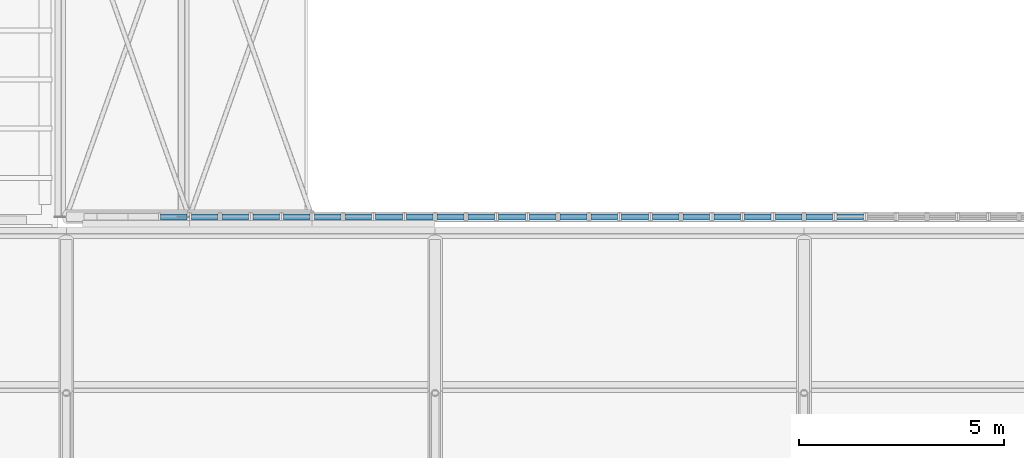
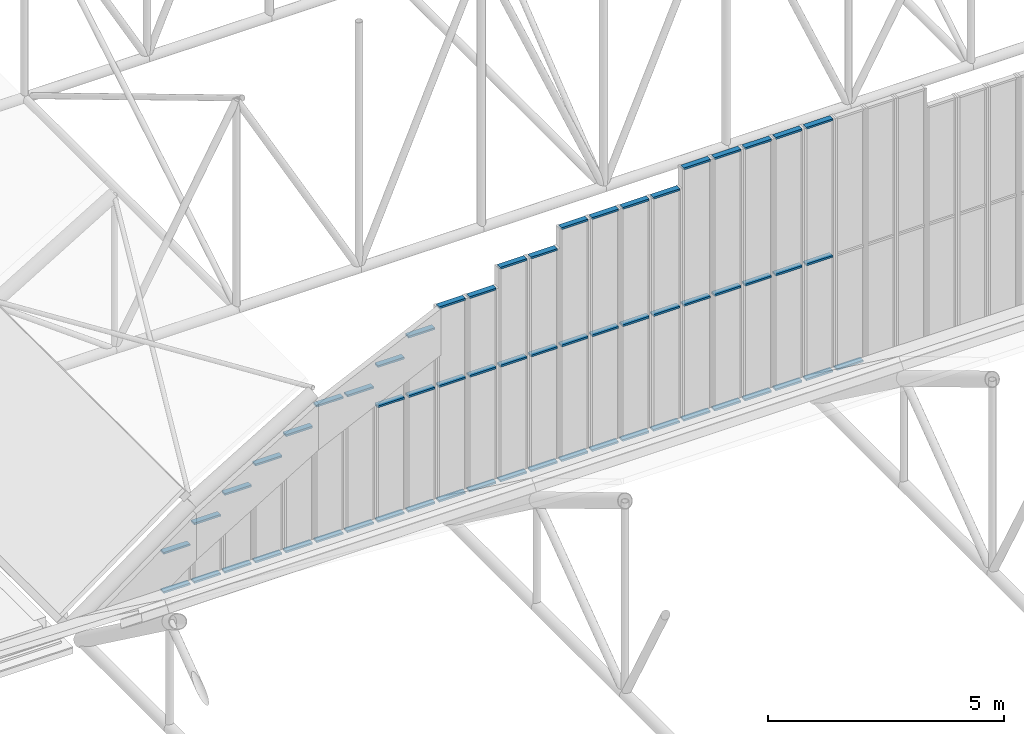
# One storey, part 88 of 153: 60 members, 23 elements without a shape of their own.
"""IFC4 building model written with IfcOpenShell, lengths in metres."""

from ifc_helpers import new_model, si_unit, direction, frame, origin, origin_2d, place, context, subcontext, project, spatial, rectangle, extrude, material, material_profile, profile_set, type_object, element, aggregate, save


model = new_model("IFC4")

# Units and contexts
model_context = context("Model", 3, precision=1e-05, world=origin(), true_north=direction((0.0, 1.0)))
body_context = subcontext(model_context, "Body", "Model", "MODEL_VIEW")
ifc_project = project(units=[si_unit("LENGTHUNIT", "METRE"), si_unit("AREAUNIT", "SQUARE_METRE"), si_unit("VOLUMEUNIT", "CUBIC_METRE"), si_unit("PLANEANGLEUNIT", "RADIAN"), si_unit("MASSUNIT", "GRAM", prefix="KILO")], contexts=[model_context])

# Site, building, storey
site_placement = place(None, origin())
site = spatial("IfcSite", under=ifc_project, at=site_placement, CompositionType="ELEMENT")
building_placement = place(site_placement, origin())
building = spatial("IfcBuilding", under=site, at=building_placement, Name="Baradari Gate Terminus", CompositionType="ELEMENT")
storey_placement = place(building_placement, frame((0.0, 0.0, 11.699951171875)))
storey = spatial("IfcBuildingStorey", under=building, at=storey_placement, Name="L02", CompositionType="ELEMENT", Elevation=11.699951171875)

# Curtain wall, members
ifc_material_1 = material(Name="Aluminium 6063-T6", Category="aluminium")
curtain_wall_type = type_object("IfcCurtainWallType", Name="Curtain wall CW-60 hall gable glazing", PredefinedType="NOTDEFINED", material=ifc_material_1)
curtain_wall_1_placement = place(storey_placement, origin())
curtain_wall_1 = element("IfcCurtainWall", 1, at=curtain_wall_1_placement, inside=storey, type_object=curtain_wall_type, Name="Hall gable glazing S4", PredefinedType="NOTDEFINED")
ifc_material_2 = material(Name="Aluminium 6063-T6", Category="aluminium")
ifc_material_profile = material_profile(ifc_material_2, rectangle(XDim=0.135009765625, YDim=0.050048828125, at=origin_2d()), Name="CT-60 50X135")
ifc_profile_set = profile_set([ifc_material_profile], Name="Aluminium 6063-T6")
member_type = type_object("IfcMemberType", Name="Curtain wall transom CT-60 50x135", PredefinedType="USERDEFINED", material=ifc_profile_set)
member_1_placement = place(storey_placement, frame((137.300048828125, 81.550048828125, 0.259521484375), z_axis=(1.0, 0.0, 0.0), x_axis=(0.0, 1.0, 0.0)))
member_1 = element("IfcMember", 2, at=member_1_placement, type_object=member_type, Name="CW-60 transom 1.1", ObjectType="TRANSOM", PredefinedType="USERDEFINED", context=body_context, shape_type="SweptSolid", body=[
    extrude(rectangle(XDim=0.135009765625, YDim=0.050048828125, at=origin_2d()), origin(), (0.0, 0.0, 1.0), 0.64990234375),
])
member_2_placement = place(storey_placement, frame((137.300048828125, 81.550048828125, 1.275146484375), z_axis=(1.0, 0.0, 0.0), x_axis=(0.0, 1.0, 0.0)))
member_2 = element("IfcMember", 3, at=member_2_placement, type_object=member_type, Name="CW-60 transom 1.2", ObjectType="TRANSOM", PredefinedType="USERDEFINED", context=body_context, shape_type="SweptSolid", body=[
    extrude(rectangle(XDim=0.135009765625, YDim=0.050048828125, at=origin_2d()), origin(), (0.0, 0.0, 1.0), 0.64990234375),
])
aggregate(curtain_wall_1, [member_1, member_2])

curtain_wall_2_placement = place(storey_placement, origin())
curtain_wall_2 = element("IfcCurtainWall", 4, at=curtain_wall_2_placement, inside=storey, type_object=curtain_wall_type, Name="Hall gable glazing S5", PredefinedType="NOTDEFINED")
member_3_placement = place(storey_placement, frame((138.050048828125, 81.550048828125, 0.259521484375), z_axis=(1.0, 0.0, 0.0), x_axis=(0.0, 1.0, 0.0)))
member_3 = element("IfcMember", 5, at=member_3_placement, type_object=member_type, Name="CW-60 transom 1.1", ObjectType="TRANSOM", PredefinedType="USERDEFINED", context=body_context, shape_type="SweptSolid", body=[
    extrude(rectangle(XDim=0.135009765625, YDim=0.050048828125, at=origin_2d()), origin(), (0.0, 0.0, 1.0), 0.64990234375),
])
member_4_placement = place(storey_placement, frame((138.050048828125, 81.550048828125, 1.775146484375), z_axis=(1.0, 0.0, 0.0), x_axis=(0.0, 1.0, 0.0)))
member_4 = element("IfcMember", 6, at=member_4_placement, type_object=member_type, Name="CW-60 transom 1.2", ObjectType="TRANSOM", PredefinedType="USERDEFINED", context=body_context, shape_type="SweptSolid", body=[
    extrude(rectangle(XDim=0.135009765625, YDim=0.050048828125, at=origin_2d()), origin(), (0.0, 0.0, 1.0), 0.64990234375),
])
aggregate(curtain_wall_2, [member_3, member_4])

curtain_wall_3_placement = place(storey_placement, origin())
curtain_wall_3 = element("IfcCurtainWall", 7, at=curtain_wall_3_placement, inside=storey, type_object=curtain_wall_type, Name="Hall gable glazing S6", PredefinedType="NOTDEFINED")
member_5_placement = place(storey_placement, frame((138.800048828125, 81.550048828125, 0.259521484375), z_axis=(1.0, 0.0, 0.0), x_axis=(0.0, 1.0, 0.0)))
member_5 = element("IfcMember", 8, at=member_5_placement, type_object=member_type, Name="CW-60 transom 1.1", ObjectType="TRANSOM", PredefinedType="USERDEFINED", context=body_context, shape_type="SweptSolid", body=[
    extrude(rectangle(XDim=0.135009765625, YDim=0.050048828125, at=origin_2d()), origin(), (0.0, 0.0, 1.0), 0.64990234375),
])
member_6_placement = place(storey_placement, frame((138.800048828125, 81.550048828125, 2.275146484375), z_axis=(1.0, 0.0, 0.0), x_axis=(0.0, 1.0, 0.0)))
member_6 = element("IfcMember", 9, at=member_6_placement, type_object=member_type, Name="CW-60 transom 1.2", ObjectType="TRANSOM", PredefinedType="USERDEFINED", context=body_context, shape_type="SweptSolid", body=[
    extrude(rectangle(XDim=0.135009765625, YDim=0.050048828125, at=origin_2d()), origin(), (0.0, 0.0, 1.0), 0.64990234375),
])
aggregate(curtain_wall_3, [member_5, member_6])

curtain_wall_4_placement = place(storey_placement, origin())
curtain_wall_4 = element("IfcCurtainWall", 10, at=curtain_wall_4_placement, inside=storey, type_object=curtain_wall_type, Name="Hall gable glazing S7", PredefinedType="NOTDEFINED")
member_7_placement = place(storey_placement, frame((139.550048828125, 81.550048828125, 0.259521484375), z_axis=(1.0, 0.0, 0.0), x_axis=(0.0, 1.0, 0.0)))
member_7 = element("IfcMember", 11, at=member_7_placement, type_object=member_type, Name="CW-60 transom 1.1", ObjectType="TRANSOM", PredefinedType="USERDEFINED", context=body_context, shape_type="SweptSolid", body=[
    extrude(rectangle(XDim=0.135009765625, YDim=0.050048828125, at=origin_2d()), origin(), (0.0, 0.0, 1.0), 0.64990234375),
])
member_8_placement = place(storey_placement, frame((139.550048828125, 81.550048828125, 2.775146484375), z_axis=(1.0, 0.0, 0.0), x_axis=(0.0, 1.0, 0.0)))
member_8 = element("IfcMember", 12, at=member_8_placement, type_object=member_type, Name="CW-60 transom 1.2", ObjectType="TRANSOM", PredefinedType="USERDEFINED", context=body_context, shape_type="SweptSolid", body=[
    extrude(rectangle(XDim=0.135009765625, YDim=0.050048828125, at=origin_2d()), origin(), (0.0, 0.0, 1.0), 0.64990234375),
])
aggregate(curtain_wall_4, [member_7, member_8])

curtain_wall_5_placement = place(storey_placement, origin())
curtain_wall_5 = element("IfcCurtainWall", 13, at=curtain_wall_5_placement, inside=storey, type_object=curtain_wall_type, Name="Hall gable glazing S8", PredefinedType="NOTDEFINED")
member_9_placement = place(storey_placement, frame((140.300048828125, 81.550048828125, 0.259521484375), z_axis=(1.0, 0.0, 0.0), x_axis=(0.0, 1.0, 0.0)))
member_9 = element("IfcMember", 14, at=member_9_placement, type_object=member_type, Name="CW-60 transom 1.1", ObjectType="TRANSOM", PredefinedType="USERDEFINED", context=body_context, shape_type="SweptSolid", body=[
    extrude(rectangle(XDim=0.135009765625, YDim=0.050048828125, at=origin_2d()), origin(), (0.0, 0.0, 1.0), 0.64990234375),
])
member_10_placement = place(storey_placement, frame((140.300048828125, 81.550048828125, 3.275146484375), z_axis=(1.0, 0.0, 0.0), x_axis=(0.0, 1.0, 0.0)))
member_10 = element("IfcMember", 15, at=member_10_placement, type_object=member_type, Name="CW-60 transom 1.2", ObjectType="TRANSOM", PredefinedType="USERDEFINED", context=body_context, shape_type="SweptSolid", body=[
    extrude(rectangle(XDim=0.135009765625, YDim=0.050048828125, at=origin_2d()), origin(), (0.0, 0.0, 1.0), 0.64990234375),
])
aggregate(curtain_wall_5, [member_9, member_10])

curtain_wall_6_placement = place(storey_placement, origin())
curtain_wall_6 = element("IfcCurtainWall", 16, at=curtain_wall_6_placement, inside=storey, type_object=curtain_wall_type, Name="Hall gable glazing S9", PredefinedType="NOTDEFINED")
member_11_placement = place(storey_placement, frame((141.050048828125, 81.550048828125, 0.259521484375), z_axis=(1.0, 0.0, 0.0), x_axis=(0.0, 1.0, 0.0)))
member_11 = element("IfcMember", 17, at=member_11_placement, type_object=member_type, Name="CW-60 transom 1.1", ObjectType="TRANSOM", PredefinedType="USERDEFINED", context=body_context, shape_type="SweptSolid", body=[
    extrude(rectangle(XDim=0.135009765625, YDim=0.050048828125, at=origin_2d()), origin(), (0.0, 0.0, 1.0), 0.64990234375),
])
member_12_placement = place(storey_placement, frame((141.050048828125, 81.550048828125, 3.775146484375), z_axis=(1.0, 0.0, 0.0), x_axis=(0.0, 1.0, 0.0)))
member_12 = element("IfcMember", 18, at=member_12_placement, type_object=member_type, Name="CW-60 transom 1.2", ObjectType="TRANSOM", PredefinedType="USERDEFINED", context=body_context, shape_type="SweptSolid", body=[
    extrude(rectangle(XDim=0.135009765625, YDim=0.050048828125, at=origin_2d()), origin(), (0.0, 0.0, 1.0), 0.64990234375),
])
aggregate(curtain_wall_6, [member_11, member_12])

curtain_wall_7_placement = place(storey_placement, origin())
curtain_wall_7 = element("IfcCurtainWall", 19, at=curtain_wall_7_placement, inside=storey, type_object=curtain_wall_type, Name="Hall gable glazing S10", PredefinedType="NOTDEFINED")
member_13_placement = place(storey_placement, frame((141.800048828125, 81.550048828125, 0.259521484375), z_axis=(1.0, 0.0, 0.0), x_axis=(0.0, 1.0, 0.0)))
member_13 = element("IfcMember", 20, at=member_13_placement, type_object=member_type, Name="CW-60 transom 1.1", ObjectType="TRANSOM", PredefinedType="USERDEFINED", context=body_context, shape_type="SweptSolid", body=[
    extrude(rectangle(XDim=0.135009765625, YDim=0.050048828125, at=origin_2d()), origin(), (0.0, 0.0, 1.0), 0.64990234375),
])
member_14_placement = place(storey_placement, frame((141.800048828125, 81.550048828125, 3.775146484375), z_axis=(1.0, 0.0, 0.0), x_axis=(0.0, 1.0, 0.0)))
member_14 = element("IfcMember", 21, at=member_14_placement, type_object=member_type, Name="CW-60 transom 1.2", ObjectType="TRANSOM", PredefinedType="USERDEFINED", context=body_context, shape_type="SweptSolid", body=[
    extrude(rectangle(XDim=0.135009765625, YDim=0.050048828125, at=origin_2d()), origin(), (0.0, 0.0, 1.0), 0.64990234375),
])
aggregate(curtain_wall_7, [member_13, member_14])

curtain_wall_8_placement = place(storey_placement, origin())
curtain_wall_8 = element("IfcCurtainWall", 22, at=curtain_wall_8_placement, inside=storey, type_object=curtain_wall_type, Name="Hall gable glazing S11", PredefinedType="NOTDEFINED")
member_15_placement = place(storey_placement, frame((142.550048828125, 81.550048828125, 0.259521484375), z_axis=(1.0, 0.0, 0.0), x_axis=(0.0, 1.0, 0.0)))
member_15 = element("IfcMember", 23, at=member_15_placement, type_object=member_type, Name="CW-60 transom 1.1", ObjectType="TRANSOM", PredefinedType="USERDEFINED", context=body_context, shape_type="SweptSolid", body=[
    extrude(rectangle(XDim=0.135009765625, YDim=0.050048828125, at=origin_2d()), origin(), (0.0, 0.0, 1.0), 0.64990234375),
])
member_16_placement = place(storey_placement, frame((142.550048828125, 81.550048828125, 3.234619140625), z_axis=(1.0, 0.0, 0.0), x_axis=(0.0, 1.0, 0.0)))
member_16 = element("IfcMember", 24, at=member_16_placement, type_object=member_type, Name="CW-60 transom 1.2", ObjectType="TRANSOM", PredefinedType="USERDEFINED", context=body_context, shape_type="SweptSolid", body=[
    extrude(rectangle(XDim=0.135009765625, YDim=0.050048828125, at=origin_2d()), origin(), (0.0, 0.0, 1.0), 0.64990234375),
])
member_17_placement = place(storey_placement, frame((142.550048828125, 81.550048828125, 4.275146484375), z_axis=(1.0, 0.0, 0.0), x_axis=(0.0, 1.0, 0.0)))
member_17 = element("IfcMember", 25, at=member_17_placement, type_object=member_type, Name="CW-60 transom 1.3", ObjectType="TRANSOM", PredefinedType="USERDEFINED", context=body_context, shape_type="SweptSolid", body=[
    extrude(rectangle(XDim=0.135009765625, YDim=0.050048828125, at=origin_2d()), origin(), (0.0, 0.0, 1.0), 0.64990234375),
])
aggregate(curtain_wall_8, [member_15, member_16, member_17])

curtain_wall_9_placement = place(storey_placement, origin())
curtain_wall_9 = element("IfcCurtainWall", 26, at=curtain_wall_9_placement, inside=storey, type_object=curtain_wall_type, Name="Hall gable glazing S12", PredefinedType="NOTDEFINED")
member_18_placement = place(storey_placement, frame((143.300048828125, 81.550048828125, 0.259521484375), z_axis=(1.0, 0.0, 0.0), x_axis=(0.0, 1.0, 0.0)))
member_18 = element("IfcMember", 27, at=member_18_placement, type_object=member_type, Name="CW-60 transom 1.1", ObjectType="TRANSOM", PredefinedType="USERDEFINED", context=body_context, shape_type="SweptSolid", body=[
    extrude(rectangle(XDim=0.135009765625, YDim=0.050048828125, at=origin_2d()), origin(), (0.0, 0.0, 1.0), 0.64990234375),
])
member_19_placement = place(storey_placement, frame((143.300048828125, 81.550048828125, 3.234619140625), z_axis=(1.0, 0.0, 0.0), x_axis=(0.0, 1.0, 0.0)))
member_19 = element("IfcMember", 28, at=member_19_placement, type_object=member_type, Name="CW-60 transom 1.2", ObjectType="TRANSOM", PredefinedType="USERDEFINED", context=body_context, shape_type="SweptSolid", body=[
    extrude(rectangle(XDim=0.135009765625, YDim=0.050048828125, at=origin_2d()), origin(), (0.0, 0.0, 1.0), 0.64990234375),
])
member_20_placement = place(storey_placement, frame((143.300048828125, 81.550048828125, 4.775146484375), z_axis=(1.0, 0.0, 0.0), x_axis=(0.0, 1.0, 0.0)))
member_20 = element("IfcMember", 29, at=member_20_placement, type_object=member_type, Name="CW-60 transom 1.3", ObjectType="TRANSOM", PredefinedType="USERDEFINED", context=body_context, shape_type="SweptSolid", body=[
    extrude(rectangle(XDim=0.135009765625, YDim=0.050048828125, at=origin_2d()), origin(), (0.0, 0.0, 1.0), 0.64990234375),
])
aggregate(curtain_wall_9, [member_18, member_19, member_20])

curtain_wall_10_placement = place(storey_placement, origin())
curtain_wall_10 = element("IfcCurtainWall", 30, at=curtain_wall_10_placement, inside=storey, type_object=curtain_wall_type, Name="Hall gable glazing S13", PredefinedType="NOTDEFINED")
member_21_placement = place(storey_placement, frame((144.050048828125, 81.550048828125, 0.259521484375), z_axis=(1.0, 0.0, 0.0), x_axis=(0.0, 1.0, 0.0)))
member_21 = element("IfcMember", 31, at=member_21_placement, type_object=member_type, Name="CW-60 transom 1.1", ObjectType="TRANSOM", PredefinedType="USERDEFINED", context=body_context, shape_type="SweptSolid", body=[
    extrude(rectangle(XDim=0.135009765625, YDim=0.050048828125, at=origin_2d()), origin(), (0.0, 0.0, 1.0), 0.64990234375),
])
member_22_placement = place(storey_placement, frame((144.050048828125, 81.550048828125, 3.234619140625), z_axis=(1.0, 0.0, 0.0), x_axis=(0.0, 1.0, 0.0)))
member_22 = element("IfcMember", 32, at=member_22_placement, type_object=member_type, Name="CW-60 transom 1.2", ObjectType="TRANSOM", PredefinedType="USERDEFINED", context=body_context, shape_type="SweptSolid", body=[
    extrude(rectangle(XDim=0.135009765625, YDim=0.050048828125, at=origin_2d()), origin(), (0.0, 0.0, 1.0), 0.64990234375),
])
member_23_placement = place(storey_placement, frame((144.050048828125, 81.550048828125, 5.275146484375), z_axis=(1.0, 0.0, 0.0), x_axis=(0.0, 1.0, 0.0)))
member_23 = element("IfcMember", 33, at=member_23_placement, type_object=member_type, Name="CW-60 transom 1.3", ObjectType="TRANSOM", PredefinedType="USERDEFINED", context=body_context, shape_type="SweptSolid", body=[
    extrude(rectangle(XDim=0.135009765625, YDim=0.050048828125, at=origin_2d()), origin(), (0.0, 0.0, 1.0), 0.64990234375),
])
aggregate(curtain_wall_10, [member_21, member_22, member_23])

curtain_wall_11_placement = place(storey_placement, origin())
curtain_wall_11 = element("IfcCurtainWall", 34, at=curtain_wall_11_placement, inside=storey, type_object=curtain_wall_type, Name="Hall gable glazing S14", PredefinedType="NOTDEFINED")
member_24_placement = place(storey_placement, frame((144.800048828125, 81.550048828125, 0.259521484375), z_axis=(1.0, 0.0, 0.0), x_axis=(0.0, 1.0, 0.0)))
member_24 = element("IfcMember", 35, at=member_24_placement, type_object=member_type, Name="CW-60 transom 1.1", ObjectType="TRANSOM", PredefinedType="USERDEFINED", context=body_context, shape_type="SweptSolid", body=[
    extrude(rectangle(XDim=0.135009765625, YDim=0.050048828125, at=origin_2d()), origin(), (0.0, 0.0, 1.0), 0.64990234375),
])
member_25_placement = place(storey_placement, frame((144.800048828125, 81.550048828125, 3.234619140625), z_axis=(1.0, 0.0, 0.0), x_axis=(0.0, 1.0, 0.0)))
member_25 = element("IfcMember", 36, at=member_25_placement, type_object=member_type, Name="CW-60 transom 1.2", ObjectType="TRANSOM", PredefinedType="USERDEFINED", context=body_context, shape_type="SweptSolid", body=[
    extrude(rectangle(XDim=0.135009765625, YDim=0.050048828125, at=origin_2d()), origin(), (0.0, 0.0, 1.0), 0.64990234375),
])
member_26_placement = place(storey_placement, frame((144.800048828125, 81.550048828125, 5.275146484375), z_axis=(1.0, 0.0, 0.0), x_axis=(0.0, 1.0, 0.0)))
member_26 = element("IfcMember", 37, at=member_26_placement, type_object=member_type, Name="CW-60 transom 1.3", ObjectType="TRANSOM", PredefinedType="USERDEFINED", context=body_context, shape_type="SweptSolid", body=[
    extrude(rectangle(XDim=0.135009765625, YDim=0.050048828125, at=origin_2d()), origin(), (0.0, 0.0, 1.0), 0.64990234375),
])
aggregate(curtain_wall_11, [member_24, member_25, member_26])

curtain_wall_12_placement = place(storey_placement, origin())
curtain_wall_12 = element("IfcCurtainWall", 38, at=curtain_wall_12_placement, inside=storey, type_object=curtain_wall_type, Name="Hall gable glazing S15", PredefinedType="NOTDEFINED")
member_27_placement = place(storey_placement, frame((145.550048828125, 81.550048828125, 0.259521484375), z_axis=(1.0, 0.0, 0.0), x_axis=(0.0, 1.0, 0.0)))
member_27 = element("IfcMember", 39, at=member_27_placement, type_object=member_type, Name="CW-60 transom 1.1", ObjectType="TRANSOM", PredefinedType="USERDEFINED", context=body_context, shape_type="SweptSolid", body=[
    extrude(rectangle(XDim=0.135009765625, YDim=0.050048828125, at=origin_2d()), origin(), (0.0, 0.0, 1.0), 0.64990234375),
])
member_28_placement = place(storey_placement, frame((145.550048828125, 81.550048828125, 3.234619140625), z_axis=(1.0, 0.0, 0.0), x_axis=(0.0, 1.0, 0.0)))
member_28 = element("IfcMember", 40, at=member_28_placement, type_object=member_type, Name="CW-60 transom 1.2", ObjectType="TRANSOM", PredefinedType="USERDEFINED", context=body_context, shape_type="SweptSolid", body=[
    extrude(rectangle(XDim=0.135009765625, YDim=0.050048828125, at=origin_2d()), origin(), (0.0, 0.0, 1.0), 0.64990234375),
])
member_29_placement = place(storey_placement, frame((145.550048828125, 81.550048828125, 5.775146484375), z_axis=(1.0, 0.0, 0.0), x_axis=(0.0, 1.0, 0.0)))
member_29 = element("IfcMember", 41, at=member_29_placement, type_object=member_type, Name="CW-60 transom 1.3", ObjectType="TRANSOM", PredefinedType="USERDEFINED", context=body_context, shape_type="SweptSolid", body=[
    extrude(rectangle(XDim=0.135009765625, YDim=0.050048828125, at=origin_2d()), origin(), (0.0, 0.0, 1.0), 0.64990234375),
])
aggregate(curtain_wall_12, [member_27, member_28, member_29])

curtain_wall_13_placement = place(storey_placement, origin())
curtain_wall_13 = element("IfcCurtainWall", 42, at=curtain_wall_13_placement, inside=storey, type_object=curtain_wall_type, Name="Hall gable glazing S16", PredefinedType="NOTDEFINED")
member_30_placement = place(storey_placement, frame((146.300048828125, 81.550048828125, 0.259521484375), z_axis=(1.0, 0.0, 0.0), x_axis=(0.0, 1.0, 0.0)))
member_30 = element("IfcMember", 43, at=member_30_placement, type_object=member_type, Name="CW-60 transom 1.1", ObjectType="TRANSOM", PredefinedType="USERDEFINED", context=body_context, shape_type="SweptSolid", body=[
    extrude(rectangle(XDim=0.135009765625, YDim=0.050048828125, at=origin_2d()), origin(), (0.0, 0.0, 1.0), 0.64990234375),
])
member_31_placement = place(storey_placement, frame((146.300048828125, 81.550048828125, 3.234619140625), z_axis=(1.0, 0.0, 0.0), x_axis=(0.0, 1.0, 0.0)))
member_31 = element("IfcMember", 44, at=member_31_placement, type_object=member_type, Name="CW-60 transom 1.2", ObjectType="TRANSOM", PredefinedType="USERDEFINED", context=body_context, shape_type="SweptSolid", body=[
    extrude(rectangle(XDim=0.135009765625, YDim=0.050048828125, at=origin_2d()), origin(), (0.0, 0.0, 1.0), 0.64990234375),
])
member_32_placement = place(storey_placement, frame((146.300048828125, 81.550048828125, 5.775146484375), z_axis=(1.0, 0.0, 0.0), x_axis=(0.0, 1.0, 0.0)))
member_32 = element("IfcMember", 45, at=member_32_placement, type_object=member_type, Name="CW-60 transom 1.3", ObjectType="TRANSOM", PredefinedType="USERDEFINED", context=body_context, shape_type="SweptSolid", body=[
    extrude(rectangle(XDim=0.135009765625, YDim=0.050048828125, at=origin_2d()), origin(), (0.0, 0.0, 1.0), 0.64990234375),
])
aggregate(curtain_wall_13, [member_30, member_31, member_32])

curtain_wall_14_placement = place(storey_placement, origin())
curtain_wall_14 = element("IfcCurtainWall", 46, at=curtain_wall_14_placement, inside=storey, type_object=curtain_wall_type, Name="Hall gable glazing S17", PredefinedType="NOTDEFINED")
member_33_placement = place(storey_placement, frame((147.050048828125, 81.550048828125, 0.259521484375), z_axis=(1.0, 0.0, 0.0), x_axis=(0.0, 1.0, 0.0)))
member_33 = element("IfcMember", 47, at=member_33_placement, type_object=member_type, Name="CW-60 transom 1.1", ObjectType="TRANSOM", PredefinedType="USERDEFINED", context=body_context, shape_type="SweptSolid", body=[
    extrude(rectangle(XDim=0.135009765625, YDim=0.050048828125, at=origin_2d()), origin(), (0.0, 0.0, 1.0), 0.64990234375),
])
member_34_placement = place(storey_placement, frame((147.050048828125, 81.550048828125, 3.234619140625), z_axis=(1.0, 0.0, 0.0), x_axis=(0.0, 1.0, 0.0)))
member_34 = element("IfcMember", 48, at=member_34_placement, type_object=member_type, Name="CW-60 transom 1.2", ObjectType="TRANSOM", PredefinedType="USERDEFINED", context=body_context, shape_type="SweptSolid", body=[
    extrude(rectangle(XDim=0.135009765625, YDim=0.050048828125, at=origin_2d()), origin(), (0.0, 0.0, 1.0), 0.64990234375),
])
member_35_placement = place(storey_placement, frame((147.050048828125, 81.550048828125, 6.275146484375), z_axis=(1.0, 0.0, 0.0), x_axis=(0.0, 1.0, 0.0)))
member_35 = element("IfcMember", 49, at=member_35_placement, type_object=member_type, Name="CW-60 transom 1.3", ObjectType="TRANSOM", PredefinedType="USERDEFINED", context=body_context, shape_type="SweptSolid", body=[
    extrude(rectangle(XDim=0.135009765625, YDim=0.050048828125, at=origin_2d()), origin(), (0.0, 0.0, 1.0), 0.64990234375),
])
aggregate(curtain_wall_14, [member_33, member_34, member_35])

curtain_wall_15_placement = place(storey_placement, origin())
curtain_wall_15 = element("IfcCurtainWall", 50, at=curtain_wall_15_placement, inside=storey, type_object=curtain_wall_type, Name="Hall gable glazing S18", PredefinedType="NOTDEFINED")
member_36_placement = place(storey_placement, frame((147.800048828125, 81.550048828125, 0.259521484375), z_axis=(1.0, 0.0, 0.0), x_axis=(0.0, 1.0, 0.0)))
member_36 = element("IfcMember", 51, at=member_36_placement, type_object=member_type, Name="CW-60 transom 1.1", ObjectType="TRANSOM", PredefinedType="USERDEFINED", context=body_context, shape_type="SweptSolid", body=[
    extrude(rectangle(XDim=0.135009765625, YDim=0.050048828125, at=origin_2d()), origin(), (0.0, 0.0, 1.0), 0.64990234375),
])
member_37_placement = place(storey_placement, frame((147.800048828125, 81.550048828125, 3.234619140625), z_axis=(1.0, 0.0, 0.0), x_axis=(0.0, 1.0, 0.0)))
member_37 = element("IfcMember", 52, at=member_37_placement, type_object=member_type, Name="CW-60 transom 1.2", ObjectType="TRANSOM", PredefinedType="USERDEFINED", context=body_context, shape_type="SweptSolid", body=[
    extrude(rectangle(XDim=0.135009765625, YDim=0.050048828125, at=origin_2d()), origin(), (0.0, 0.0, 1.0), 0.64990234375),
])
member_38_placement = place(storey_placement, frame((147.800048828125, 81.550048828125, 6.275146484375), z_axis=(1.0, 0.0, 0.0), x_axis=(0.0, 1.0, 0.0)))
member_38 = element("IfcMember", 53, at=member_38_placement, type_object=member_type, Name="CW-60 transom 1.3", ObjectType="TRANSOM", PredefinedType="USERDEFINED", context=body_context, shape_type="SweptSolid", body=[
    extrude(rectangle(XDim=0.135009765625, YDim=0.050048828125, at=origin_2d()), origin(), (0.0, 0.0, 1.0), 0.64990234375),
])
aggregate(curtain_wall_15, [member_36, member_37, member_38])

curtain_wall_16_placement = place(storey_placement, origin())
curtain_wall_16 = element("IfcCurtainWall", 54, at=curtain_wall_16_placement, inside=storey, type_object=curtain_wall_type, Name="Hall gable glazing S19", PredefinedType="NOTDEFINED")
member_39_placement = place(storey_placement, frame((148.550048828125, 81.550048828125, 0.259521484375), z_axis=(1.0, 0.0, 0.0), x_axis=(0.0, 1.0, 0.0)))
member_39 = element("IfcMember", 55, at=member_39_placement, type_object=member_type, Name="CW-60 transom 1.1", ObjectType="TRANSOM", PredefinedType="USERDEFINED", context=body_context, shape_type="SweptSolid", body=[
    extrude(rectangle(XDim=0.135009765625, YDim=0.050048828125, at=origin_2d()), origin(), (0.0, 0.0, 1.0), 0.64990234375),
])
member_40_placement = place(storey_placement, frame((148.550048828125, 81.550048828125, 3.234619140625), z_axis=(1.0, 0.0, 0.0), x_axis=(0.0, 1.0, 0.0)))
member_40 = element("IfcMember", 56, at=member_40_placement, type_object=member_type, Name="CW-60 transom 1.2", ObjectType="TRANSOM", PredefinedType="USERDEFINED", context=body_context, shape_type="SweptSolid", body=[
    extrude(rectangle(XDim=0.135009765625, YDim=0.050048828125, at=origin_2d()), origin(), (0.0, 0.0, 1.0), 0.64990234375),
])
member_41_placement = place(storey_placement, frame((148.550048828125, 81.550048828125, 6.275146484375), z_axis=(1.0, 0.0, 0.0), x_axis=(0.0, 1.0, 0.0)))
member_41 = element("IfcMember", 57, at=member_41_placement, type_object=member_type, Name="CW-60 transom 1.3", ObjectType="TRANSOM", PredefinedType="USERDEFINED", context=body_context, shape_type="SweptSolid", body=[
    extrude(rectangle(XDim=0.135009765625, YDim=0.050048828125, at=origin_2d()), origin(), (0.0, 0.0, 1.0), 0.64990234375),
])
aggregate(curtain_wall_16, [member_39, member_40, member_41])

curtain_wall_17_placement = place(storey_placement, origin())
curtain_wall_17 = element("IfcCurtainWall", 58, at=curtain_wall_17_placement, inside=storey, type_object=curtain_wall_type, Name="Hall gable glazing S20", PredefinedType="NOTDEFINED")
member_42_placement = place(storey_placement, frame((149.300048828125, 81.550048828125, 0.259521484375), z_axis=(1.0, 0.0, 0.0), x_axis=(0.0, 1.0, 0.0)))
member_42 = element("IfcMember", 59, at=member_42_placement, type_object=member_type, Name="CW-60 transom 1.1", ObjectType="TRANSOM", PredefinedType="USERDEFINED", context=body_context, shape_type="SweptSolid", body=[
    extrude(rectangle(XDim=0.135009765625, YDim=0.050048828125, at=origin_2d()), origin(), (0.0, 0.0, 1.0), 0.64990234375),
])
member_43_placement = place(storey_placement, frame((149.300048828125, 81.550048828125, 3.234619140625), z_axis=(1.0, 0.0, 0.0), x_axis=(0.0, 1.0, 0.0)))
member_43 = element("IfcMember", 60, at=member_43_placement, type_object=member_type, Name="CW-60 transom 1.2", ObjectType="TRANSOM", PredefinedType="USERDEFINED", context=body_context, shape_type="SweptSolid", body=[
    extrude(rectangle(XDim=0.135009765625, YDim=0.050048828125, at=origin_2d()), origin(), (0.0, 0.0, 1.0), 0.64990234375),
])
member_44_placement = place(storey_placement, frame((149.300048828125, 81.550048828125, 6.275146484375), z_axis=(1.0, 0.0, 0.0), x_axis=(0.0, 1.0, 0.0)))
member_44 = element("IfcMember", 61, at=member_44_placement, type_object=member_type, Name="CW-60 transom 1.3", ObjectType="TRANSOM", PredefinedType="USERDEFINED", context=body_context, shape_type="SweptSolid", body=[
    extrude(rectangle(XDim=0.135009765625, YDim=0.050048828125, at=origin_2d()), origin(), (0.0, 0.0, 1.0), 0.64990234375),
])
aggregate(curtain_wall_17, [member_42, member_43, member_44])

curtain_wall_18_placement = place(storey_placement, origin())
curtain_wall_18 = element("IfcCurtainWall", 62, at=curtain_wall_18_placement, inside=storey, type_object=curtain_wall_type, Name="Hall gable glazing S21", PredefinedType="NOTDEFINED")
member_45_placement = place(storey_placement, frame((150.050048828125, 81.550048828125, 0.259521484375), z_axis=(1.0, 0.0, 0.0), x_axis=(0.0, 1.0, 0.0)))
member_45 = element("IfcMember", 63, at=member_45_placement, type_object=member_type, Name="CW-60 transom 1.1", ObjectType="TRANSOM", PredefinedType="USERDEFINED", context=body_context, shape_type="SweptSolid", body=[
    extrude(rectangle(XDim=0.135009765625, YDim=0.050048828125, at=origin_2d()), origin(), (0.0, 0.0, 1.0), 0.64990234375),
])
member_46_placement = place(storey_placement, frame((150.050048828125, 81.550048828125, 3.234619140625), z_axis=(1.0, 0.0, 0.0), x_axis=(0.0, 1.0, 0.0)))
member_46 = element("IfcMember", 64, at=member_46_placement, type_object=member_type, Name="CW-60 transom 1.2", ObjectType="TRANSOM", PredefinedType="USERDEFINED", context=body_context, shape_type="SweptSolid", body=[
    extrude(rectangle(XDim=0.135009765625, YDim=0.050048828125, at=origin_2d()), origin(), (0.0, 0.0, 1.0), 0.64990234375),
])
member_47_placement = place(storey_placement, frame((150.050048828125, 81.550048828125, 6.775146484375), z_axis=(1.0, 0.0, 0.0), x_axis=(0.0, 1.0, 0.0)))
member_47 = element("IfcMember", 65, at=member_47_placement, type_object=member_type, Name="CW-60 transom 1.3", ObjectType="TRANSOM", PredefinedType="USERDEFINED", context=body_context, shape_type="SweptSolid", body=[
    extrude(rectangle(XDim=0.135009765625, YDim=0.050048828125, at=origin_2d()), origin(), (0.0, 0.0, 1.0), 0.64990234375),
])
aggregate(curtain_wall_18, [member_45, member_46, member_47])

curtain_wall_19_placement = place(storey_placement, origin())
curtain_wall_19 = element("IfcCurtainWall", 66, at=curtain_wall_19_placement, inside=storey, type_object=curtain_wall_type, Name="Hall gable glazing S22", PredefinedType="NOTDEFINED")
member_48_placement = place(storey_placement, frame((150.800048828125, 81.550048828125, 0.259521484375), z_axis=(1.0, 0.0, 0.0), x_axis=(0.0, 1.0, 0.0)))
member_48 = element("IfcMember", 67, at=member_48_placement, type_object=member_type, Name="CW-60 transom 1.1", ObjectType="TRANSOM", PredefinedType="USERDEFINED", context=body_context, shape_type="SweptSolid", body=[
    extrude(rectangle(XDim=0.135009765625, YDim=0.050048828125, at=origin_2d()), origin(), (0.0, 0.0, 1.0), 0.64990234375),
])
member_49_placement = place(storey_placement, frame((150.800048828125, 81.550048828125, 3.234619140625), z_axis=(1.0, 0.0, 0.0), x_axis=(0.0, 1.0, 0.0)))
member_49 = element("IfcMember", 68, at=member_49_placement, type_object=member_type, Name="CW-60 transom 1.2", ObjectType="TRANSOM", PredefinedType="USERDEFINED", context=body_context, shape_type="SweptSolid", body=[
    extrude(rectangle(XDim=0.135009765625, YDim=0.050048828125, at=origin_2d()), origin(), (0.0, 0.0, 1.0), 0.64990234375),
])
member_50_placement = place(storey_placement, frame((150.800048828125, 81.550048828125, 6.775146484375), z_axis=(1.0, 0.0, 0.0), x_axis=(0.0, 1.0, 0.0)))
member_50 = element("IfcMember", 69, at=member_50_placement, type_object=member_type, Name="CW-60 transom 1.3", ObjectType="TRANSOM", PredefinedType="USERDEFINED", context=body_context, shape_type="SweptSolid", body=[
    extrude(rectangle(XDim=0.135009765625, YDim=0.050048828125, at=origin_2d()), origin(), (0.0, 0.0, 1.0), 0.64990234375),
])
aggregate(curtain_wall_19, [member_48, member_49, member_50])

curtain_wall_20_placement = place(storey_placement, origin())
curtain_wall_20 = element("IfcCurtainWall", 70, at=curtain_wall_20_placement, inside=storey, type_object=curtain_wall_type, Name="Hall gable glazing S23", PredefinedType="NOTDEFINED")
member_51_placement = place(storey_placement, frame((151.550048828125, 81.550048828125, 0.259521484375), z_axis=(1.0, 0.0, 0.0), x_axis=(0.0, 1.0, 0.0)))
member_51 = element("IfcMember", 71, at=member_51_placement, type_object=member_type, Name="CW-60 transom 1.1", ObjectType="TRANSOM", PredefinedType="USERDEFINED", context=body_context, shape_type="SweptSolid", body=[
    extrude(rectangle(XDim=0.135009765625, YDim=0.050048828125, at=origin_2d()), origin(), (0.0, 0.0, 1.0), 0.64990234375),
])
member_52_placement = place(storey_placement, frame((151.550048828125, 81.550048828125, 3.234619140625), z_axis=(1.0, 0.0, 0.0), x_axis=(0.0, 1.0, 0.0)))
member_52 = element("IfcMember", 72, at=member_52_placement, type_object=member_type, Name="CW-60 transom 1.2", ObjectType="TRANSOM", PredefinedType="USERDEFINED", context=body_context, shape_type="SweptSolid", body=[
    extrude(rectangle(XDim=0.135009765625, YDim=0.050048828125, at=origin_2d()), origin(), (0.0, 0.0, 1.0), 0.64990234375),
])
member_53_placement = place(storey_placement, frame((151.550048828125, 81.550048828125, 6.775146484375), z_axis=(1.0, 0.0, 0.0), x_axis=(0.0, 1.0, 0.0)))
member_53 = element("IfcMember", 73, at=member_53_placement, type_object=member_type, Name="CW-60 transom 1.3", ObjectType="TRANSOM", PredefinedType="USERDEFINED", context=body_context, shape_type="SweptSolid", body=[
    extrude(rectangle(XDim=0.135009765625, YDim=0.050048828125, at=origin_2d()), origin(), (0.0, 0.0, 1.0), 0.64990234375),
])
aggregate(curtain_wall_20, [member_51, member_52, member_53])

curtain_wall_21_placement = place(storey_placement, origin())
curtain_wall_21 = element("IfcCurtainWall", 74, at=curtain_wall_21_placement, inside=storey, type_object=curtain_wall_type, Name="Hall gable glazing S24", PredefinedType="NOTDEFINED")
member_54_placement = place(storey_placement, frame((152.300048828125, 81.550048828125, 0.259521484375), z_axis=(1.0, 0.0, 0.0), x_axis=(0.0, 1.0, 0.0)))
member_54 = element("IfcMember", 75, at=member_54_placement, type_object=member_type, Name="CW-60 transom 1.1", ObjectType="TRANSOM", PredefinedType="USERDEFINED", context=body_context, shape_type="SweptSolid", body=[
    extrude(rectangle(XDim=0.135009765625, YDim=0.050048828125, at=origin_2d()), origin(), (0.0, 0.0, 1.0), 0.64990234375),
])
member_55_placement = place(storey_placement, frame((152.300048828125, 81.550048828125, 3.234619140625), z_axis=(1.0, 0.0, 0.0), x_axis=(0.0, 1.0, 0.0)))
member_55 = element("IfcMember", 76, at=member_55_placement, type_object=member_type, Name="CW-60 transom 1.2", ObjectType="TRANSOM", PredefinedType="USERDEFINED", context=body_context, shape_type="SweptSolid", body=[
    extrude(rectangle(XDim=0.135009765625, YDim=0.050048828125, at=origin_2d()), origin(), (0.0, 0.0, 1.0), 0.64990234375),
])
member_56_placement = place(storey_placement, frame((152.300048828125, 81.550048828125, 6.775146484375), z_axis=(1.0, 0.0, 0.0), x_axis=(0.0, 1.0, 0.0)))
member_56 = element("IfcMember", 77, at=member_56_placement, type_object=member_type, Name="CW-60 transom 1.3", ObjectType="TRANSOM", PredefinedType="USERDEFINED", context=body_context, shape_type="SweptSolid", body=[
    extrude(rectangle(XDim=0.135009765625, YDim=0.050048828125, at=origin_2d()), origin(), (0.0, 0.0, 1.0), 0.64990234375),
])
aggregate(curtain_wall_21, [member_54, member_55, member_56])

curtain_wall_22_placement = place(storey_placement, origin())
curtain_wall_22 = element("IfcCurtainWall", 78, at=curtain_wall_22_placement, inside=storey, type_object=curtain_wall_type, Name="Hall gable glazing S25", PredefinedType="NOTDEFINED")
member_57_placement = place(storey_placement, frame((153.050048828125, 81.550048828125, 0.259521484375), z_axis=(1.0, 0.0, 0.0), x_axis=(0.0, 1.0, 0.0)))
member_57 = element("IfcMember", 79, at=member_57_placement, type_object=member_type, Name="CW-60 transom 1.1", ObjectType="TRANSOM", PredefinedType="USERDEFINED", context=body_context, shape_type="SweptSolid", body=[
    extrude(rectangle(XDim=0.135009765625, YDim=0.050048828125, at=origin_2d()), origin(), (0.0, 0.0, 1.0), 0.64990234375),
])
member_58_placement = place(storey_placement, frame((153.050048828125, 81.550048828125, 3.234619140625), z_axis=(1.0, 0.0, 0.0), x_axis=(0.0, 1.0, 0.0)))
member_58 = element("IfcMember", 80, at=member_58_placement, type_object=member_type, Name="CW-60 transom 1.2", ObjectType="TRANSOM", PredefinedType="USERDEFINED", context=body_context, shape_type="SweptSolid", body=[
    extrude(rectangle(XDim=0.135009765625, YDim=0.050048828125, at=origin_2d()), origin(), (0.0, 0.0, 1.0), 0.64990234375),
])
member_59_placement = place(storey_placement, frame((153.050048828125, 81.550048828125, 6.775146484375), z_axis=(1.0, 0.0, 0.0), x_axis=(0.0, 1.0, 0.0)))
member_59 = element("IfcMember", 81, at=member_59_placement, type_object=member_type, Name="CW-60 transom 1.3", ObjectType="TRANSOM", PredefinedType="USERDEFINED", context=body_context, shape_type="SweptSolid", body=[
    extrude(rectangle(XDim=0.135009765625, YDim=0.050048828125, at=origin_2d()), origin(), (0.0, 0.0, 1.0), 0.64990234375),
])
aggregate(curtain_wall_22, [member_57, member_58, member_59])

# Curtain wall, member
curtain_wall_23_placement = place(storey_placement, origin())
curtain_wall_23 = element("IfcCurtainWall", 82, at=curtain_wall_23_placement, inside=storey, type_object=curtain_wall_type, Name="Hall gable glazing S26", PredefinedType="NOTDEFINED")
member_60_placement = place(storey_placement, frame((153.800048828125, 81.550048828125, 0.259521484375), z_axis=(1.0, 0.0, 0.0), x_axis=(0.0, 1.0, 0.0)))
member_60 = element("IfcMember", 83, at=member_60_placement, type_object=member_type, Name="CW-60 transom 1.1", ObjectType="TRANSOM", PredefinedType="USERDEFINED", context=body_context, shape_type="SweptSolid", body=[
    extrude(rectangle(XDim=0.135009765625, YDim=0.050048828125, at=origin_2d()), origin(), (0.0, 0.0, 1.0), 0.64990234375),
])
aggregate(curtain_wall_23, [member_60])

save(model, "model.ifc")
